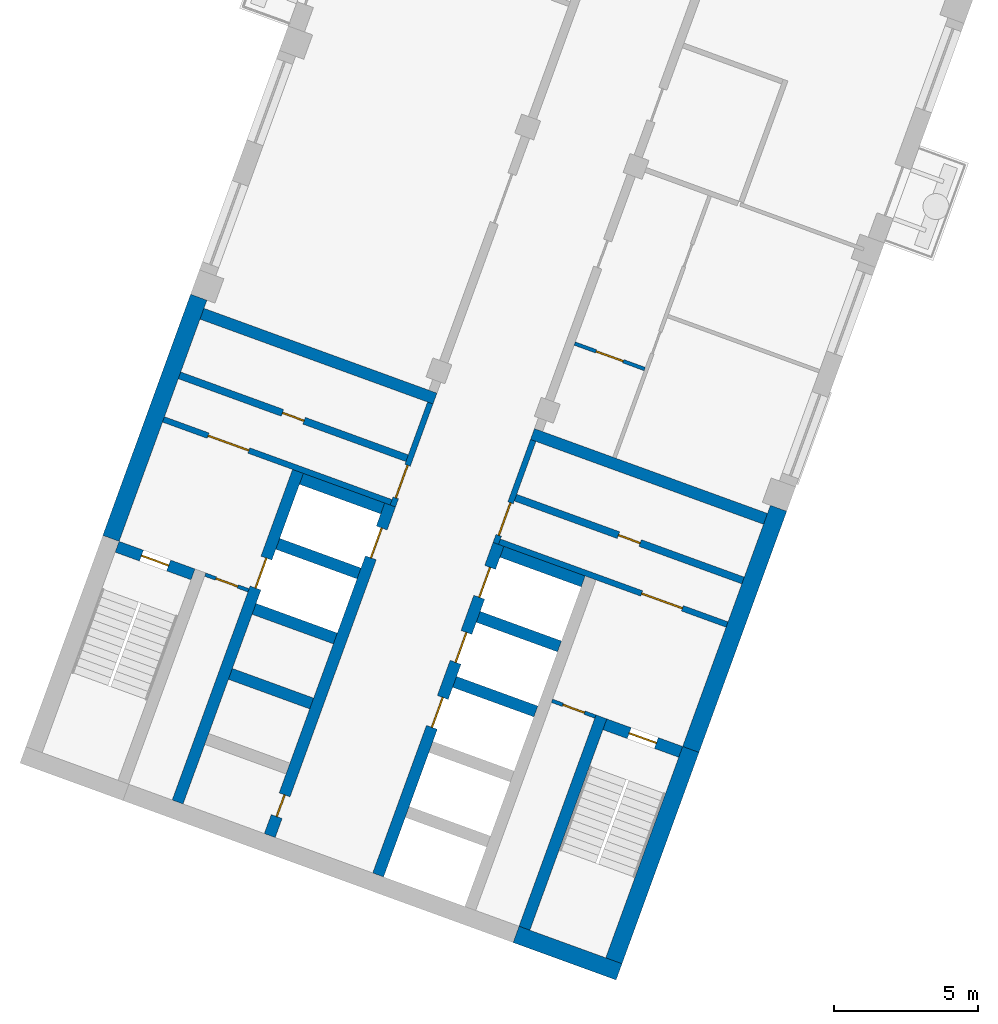
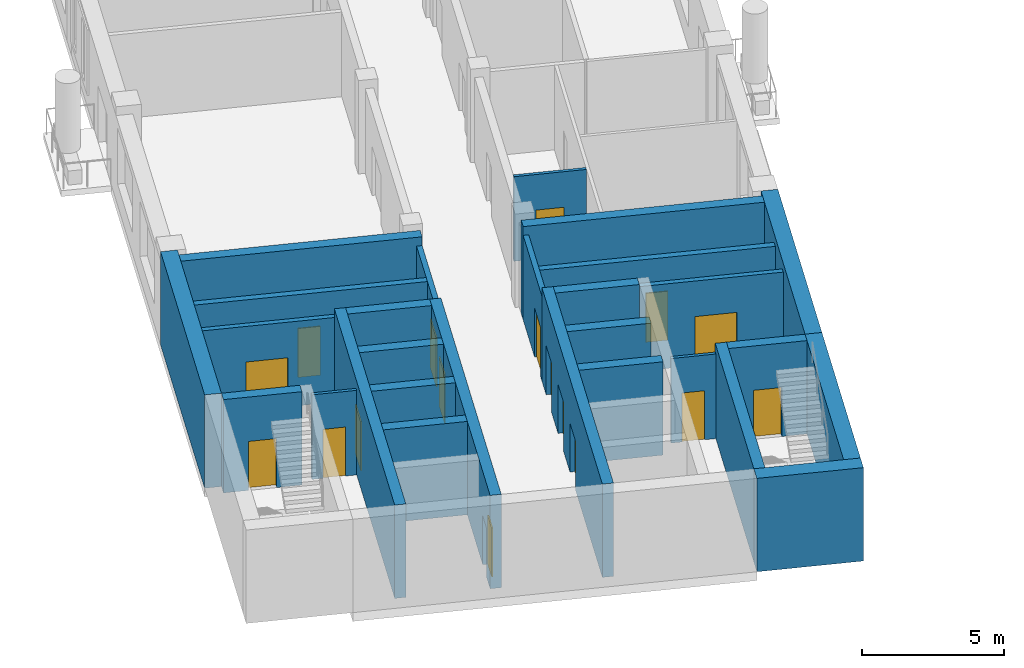
# One storey, part 2 of 16: 28 walls, 17 doors, 17 openings.
"""IFC4 building model written with IfcOpenShell, lengths in metres."""

from ifc_helpers import new_model, si_unit, direction, frame, frame_2d, origin, place, context, subcontext, project, spatial, rectangle, extrude, material, layer, layer_set, type_object, element, fill, save


model = new_model("IFC4")

# Units and contexts
model_context = context("Model", 3, precision=1e-05, world=origin(), true_north=direction((0.0, 1.0)))
body_context = subcontext(model_context, "Body", "Model", "MODEL_VIEW")
ifc_project = project(units=[si_unit("LENGTHUNIT", "METRE"), si_unit("AREAUNIT", "SQUARE_METRE"), si_unit("VOLUMEUNIT", "CUBIC_METRE"), si_unit("PLANEANGLEUNIT", "RADIAN"), si_unit("MASSUNIT", "GRAM", prefix="KILO")], contexts=[model_context])

# Site, building, storey
site_placement = place(None, origin())
site = spatial("IfcSite", under=ifc_project, at=site_placement, CompositionType="ELEMENT")
building_placement = place(site_placement, origin())
building = spatial("IfcBuilding", under=site, at=building_placement, Name="Skarvind Civic Tower", CompositionType="ELEMENT")
storey_placement = place(building_placement, frame((0.0, 0.0, 67.5)))
storey = spatial("IfcBuildingStorey", under=building, at=storey_placement, Name="L15", CompositionType="ELEMENT", Elevation=67.5)

# Wall, opening, door
ifc_material_1 = material(Name="Fire-rated masonry partition", Category="masonry")
ifc_layer_1 = layer(ifc_material_1, 0.199951171875)
ifc_layer_set_1 = layer_set([ifc_layer_1], Name="Core enclosure wall 200")
wall_type_1 = type_object("IfcWallType", Name="Core enclosure wall 200", PredefinedType="PARTITIONING", material=ifc_layer_set_1)
wall_1_placement = place(storey_placement, frame((31.491455078125, 93.693359375, 0.0), z_axis=(0.0, 0.0, 1.0), x_axis=(0.341995824804, 0.939701471648, 0.0)))
wall_1 = element("IfcWall", 1, at=wall_1_placement, inside=storey, type_object=wall_type_1, Name="Core wall C2", PredefinedType="PARTITIONING", context=body_context, shape_type="SweptSolid", body=[
    extrude(rectangle(XDim=3.800048828125, YDim=0.199951171875, at=frame_2d((1.89990234375, 0.0))), origin(), (0.0, 0.0, 1.0), 3.625),
])
opening_1_placement = place(wall_1_placement, frame((0.300048828125, 0.0, 0.0)))
opening_1 = element("IfcOpeningElement", 2, at=opening_1_placement, cuts=wall_1, Name="Opening D-L15-C2-06", PredefinedType="OPENING", context=body_context, shape_type="SweptSolid", body=[
    extrude(rectangle(XDim=1.199951171875, YDim=2.10009765625, at=frame_2d((0.60009765625, 1.050048828125))), frame((0.0, 0.10986328125, 0.0), z_axis=(0.0, -1.0, 0.0), x_axis=(1.0, 0.0, 0.0)), (0.0, 0.0, 1.0), 0.219970703125),
])
ifc_material_2 = material(Name="Fire-rated steel door", Category="steel")
door_type_1 = type_object("IfcDoorType", Name="Core lobby door 1200", OperationType="NOTDEFINED", PredefinedType="DOOR", material=ifc_material_2)
door_1_placement = place(opening_1_placement, origin())
door_1 = element("IfcDoor", 3, at=door_1_placement, inside=storey, type_object=door_type_1, Name="Fire door", OperationType="DOUBLE_DOOR_SINGLE_SWING", OverallHeight=2.10009765625, OverallWidth=1.199951171875, PredefinedType="DOOR", context=body_context, shape_type="SweptSolid", body=[
    extrude(rectangle(XDim=1.199951171875, YDim=2.10009765625, at=frame_2d((0.60009765625, 1.050048828125))), frame((0.0, 0.02490234375, 0.0), z_axis=(0.0, -1.0, 0.0), x_axis=(1.0, 0.0, 0.0)), (0.0, 0.0, 1.0), 0.050048828125),
])
fill(opening_1, door_1)

wall_2_placement = place(storey_placement, frame((23.5380859375, 96.6943359375, 0.0), z_axis=(0.0, 0.0, 1.0), x_axis=(0.939691552312, -0.342023078919, 0.0)))
wall_2 = element("IfcWall", 4, at=wall_2_placement, inside=storey, type_object=wall_type_1, Name="Core wall C2", PredefinedType="PARTITIONING", context=body_context, shape_type="SweptSolid", body=[
    extrude(rectangle(XDim=8.400146484375, YDim=0.199951171875, at=frame_2d((4.2001953125, 0.0))), origin(), (0.0, 0.0, 1.0), 3.625),
])
opening_2_placement = place(wall_2_placement, frame((1.64990234375, 0.0, 0.0)))
opening_2 = element("IfcOpeningElement", 5, at=opening_2_placement, cuts=wall_2, Name="Opening D-L15-C2-07", PredefinedType="OPENING", context=body_context, shape_type="SweptSolid", body=[
    extrude(rectangle(XDim=1.5, YDim=2.10009765625, at=frame_2d((0.75, 1.050048828125))), frame((0.0, 0.10986328125, 0.0), z_axis=(0.0, -1.0, 0.0), x_axis=(1.0, 0.0, 0.0)), (0.0, 0.0, 1.0), 0.219970703125),
])
door_type_2 = type_object("IfcDoorType", Name="Fire door 1500", OperationType="NOTDEFINED", PredefinedType="DOOR", material=ifc_material_2)
door_2_placement = place(opening_2_placement, origin())
door_2 = element("IfcDoor", 6, at=door_2_placement, inside=storey, type_object=door_type_2, Name="Fire door", OperationType="DOUBLE_DOOR_SINGLE_SWING", OverallHeight=2.10009765625, OverallWidth=1.5, PredefinedType="DOOR", context=body_context, shape_type="SweptSolid", body=[
    extrude(rectangle(XDim=1.5, YDim=2.10009765625, at=frame_2d((0.75, 1.050048828125))), frame((0.0, 0.02490234375, 0.0), z_axis=(0.0, -1.0, 0.0), x_axis=(1.0, 0.0, 0.0)), (0.0, 0.0, 1.0), 0.050048828125),
])
fill(opening_2, door_2)

wall_3_placement = place(storey_placement, frame((36.36181640625, 95.96435546875, 0.0), z_axis=(0.0, 0.0, 1.0), x_axis=(-0.341995824804, -0.939701471648, 0.0)))
wall_3 = element("IfcWall", 7, at=wall_3_placement, inside=storey, type_object=wall_type_1, Name="Core wall C2", PredefinedType="PARTITIONING", context=body_context, shape_type="SweptSolid", body=[
    extrude(rectangle(XDim=3.800048828125, YDim=0.199951171875, at=frame_2d((1.89990234375, 0.0))), origin(), (0.0, 0.0, 1.0), 3.625),
])
opening_3_placement = place(wall_3_placement, frame((2.300048828125, 0.0, 0.0)))
opening_3 = element("IfcOpeningElement", 8, at=opening_3_placement, cuts=wall_3, Name="Opening D-L15-C2-11", PredefinedType="OPENING", context=body_context, shape_type="SweptSolid", body=[
    extrude(rectangle(XDim=1.199951171875, YDim=2.10009765625, at=frame_2d((0.60009765625, 1.050048828125))), frame((0.0, 0.10986328125, 0.0), z_axis=(0.0, -1.0, 0.0), x_axis=(1.0, 0.0, 0.0)), (0.0, 0.0, 1.0), 0.219970703125),
])
door_3_placement = place(opening_3_placement, origin())
door_3 = element("IfcDoor", 9, at=door_3_placement, inside=storey, type_object=door_type_1, Name="Fire door", OperationType="DOUBLE_DOOR_SINGLE_SWING", OverallHeight=2.10009765625, OverallWidth=1.199951171875, PredefinedType="DOOR", context=body_context, shape_type="SweptSolid", body=[
    extrude(rectangle(XDim=1.199951171875, YDim=2.10009765625, at=frame_2d((0.60009765625, 1.050048828125))), frame((0.0, 0.02490234375, 0.0), z_axis=(0.0, -1.0, 0.0), x_axis=(1.0, 0.0, 0.0)), (0.0, 0.0, 1.0), 0.050048828125),
])
fill(opening_3, door_3)

wall_4_placement = place(storey_placement, frame((35.1904296875, 92.453369140625, 0.0), z_axis=(0.0, 0.0, 1.0), x_axis=(0.939691552312, -0.342023078919, 0.0)))
wall_4 = element("IfcWall", 10, at=wall_4_placement, inside=storey, type_object=wall_type_1, Name="Core wall C2", PredefinedType="PARTITIONING", context=body_context, shape_type="SweptSolid", body=[
    extrude(rectangle(XDim=8.400146484375, YDim=0.199951171875, at=frame_2d((4.2001953125, 0.0))), origin(), (0.0, 0.0, 1.0), 3.625),
])
opening_4_placement = place(wall_4_placement, frame((5.25, 0.0, 0.0)))
opening_4 = element("IfcOpeningElement", 11, at=opening_4_placement, cuts=wall_4, Name="Opening D-L15-C2-12", PredefinedType="OPENING", context=body_context, shape_type="SweptSolid", body=[
    extrude(rectangle(XDim=1.5, YDim=2.10009765625, at=frame_2d((0.75, 1.050048828125))), frame((0.0, 0.10986328125, 0.0), z_axis=(0.0, -1.0, 0.0), x_axis=(1.0, 0.0, 0.0)), (0.0, 0.0, 1.0), 0.219970703125),
])
door_4_placement = place(opening_4_placement, origin())
door_4 = element("IfcDoor", 12, at=door_4_placement, inside=storey, type_object=door_type_2, Name="Fire door", OperationType="DOUBLE_DOOR_SINGLE_SWING", OverallHeight=2.10009765625, OverallWidth=1.5, PredefinedType="DOOR", context=body_context, shape_type="SweptSolid", body=[
    extrude(rectangle(XDim=1.5, YDim=2.10009765625, at=frame_2d((0.75, 1.050048828125))), frame((0.0, 0.02490234375, 0.0), z_axis=(0.0, -1.0, 0.0), x_axis=(1.0, 0.0, 0.0)), (0.0, 0.0, 1.0), 0.050048828125),
])
fill(opening_4, door_4)

# Wall
ifc_material_3 = material(Name="Concrete C80", Category="concrete")
ifc_layer_2 = layer(ifc_material_3, 0.39990234375)
ifc_layer_set_2 = layer_set([ifc_layer_2], Name="Core wall 400 C80")
wall_type_2 = type_object("IfcWallType", Name="Core wall 400 C80", PredefinedType="SHEAR", material=ifc_layer_set_2)
wall_5_placement = place(storey_placement, frame((36.057861328125, 79.04833984375, 0.0), z_axis=(0.0, 0.0, 1.0), x_axis=(0.342016982193, 0.939693771338, 0.0)))
element("IfcWall", 13, at=wall_5_placement, inside=storey, type_object=wall_type_2, Name="Core wall C2 south stair inner L15", PredefinedType="SHEAR", context=body_context, shape_type="SweptSolid", body=[
    extrude(rectangle(XDim=7.800048828125, YDim=0.39990234375, at=frame_2d((3.89990234375, 0.0))), origin(), (0.0, 0.0, 1.0), 4.0),
])

# Wall, opening, door
wall_6_placement = place(storey_placement, frame((41.476318359375, 85.163818359375, 0.0), z_axis=(0.0, 0.0, 1.0), x_axis=(-0.939678810556, 0.342058084236, 0.0)))
wall_6 = element("IfcWall", 14, at=wall_6_placement, inside=storey, type_object=wall_type_2, Name="Core wall C2 south stair end L15", PredefinedType="SHEAR", context=body_context, shape_type="SweptSolid", body=[
    extrude(rectangle(XDim=2.800048828125, YDim=0.39990234375, at=frame_2d((1.39990234375, 0.0))), origin(), (0.0, 0.0, 1.0), 4.0),
])
opening_5_placement = place(wall_6_placement, frame((0.89990234375, 0.0, 0.0)))
opening_5 = element("IfcOpeningElement", 15, at=opening_5_placement, cuts=wall_6, Name="Opening D-L15-C2-13", PredefinedType="OPENING", context=body_context, shape_type="SweptSolid", body=[
    extrude(rectangle(XDim=1.0, YDim=2.10009765625, at=frame_2d((0.5, 1.050048828125))), frame((0.0, 0.2099609375, 0.0), z_axis=(0.0, -1.0, 0.0), x_axis=(1.0, 0.0, 0.0)), (0.0, 0.0, 1.0), 0.419921875),
])
door_type_3 = type_object("IfcDoorType", Name="Fire door 1000", OperationType="NOTDEFINED", PredefinedType="DOOR", material=ifc_material_2)
door_5_placement = place(opening_5_placement, origin())
door_5 = element("IfcDoor", 16, at=door_5_placement, inside=storey, type_object=door_type_3, Name="Fire door", OperationType="SINGLE_SWING_RIGHT", OverallHeight=2.10009765625, OverallWidth=1.0, PredefinedType="DOOR", context=body_context, shape_type="SweptSolid", body=[
    extrude(rectangle(XDim=1.0, YDim=2.10009765625, at=frame_2d((0.5, 1.050048828125))), frame((0.0, 0.02490234375, 0.0), z_axis=(0.0, -1.0, 0.0), x_axis=(1.0, 0.0, 0.0)), (0.0, 0.0, 1.0), 0.050048828125),
])
fill(opening_5, door_5)

wall_7_placement = place(storey_placement, frame((24.56201171875, 91.3203125, 0.0), z_axis=(0.0, 0.0, 1.0), x_axis=(-0.939717030584, 0.341953070509, 0.0)))
wall_7 = element("IfcWall", 17, at=wall_7_placement, inside=storey, type_object=wall_type_2, Name="Core wall C2 north stair end L15", PredefinedType="SHEAR", context=body_context, shape_type="SweptSolid", body=[
    extrude(rectangle(XDim=2.800048828125, YDim=0.39990234375, at=frame_2d((1.39990234375, 0.0))), origin(), (0.0, 0.0, 1.0), 4.0),
])
opening_6_placement = place(wall_7_placement, frame((0.89990234375, 0.0, 0.0)))
opening_6 = element("IfcOpeningElement", 18, at=opening_6_placement, cuts=wall_7, Name="Opening D-L15-C2-08", PredefinedType="OPENING", context=body_context, shape_type="SweptSolid", body=[
    extrude(rectangle(XDim=1.0, YDim=2.10009765625, at=frame_2d((0.5, 1.050048828125))), frame((0.0, 0.2099609375, 0.0), z_axis=(0.0, -1.0, 0.0), x_axis=(1.0, 0.0, 0.0)), (0.0, 0.0, 1.0), 0.419921875),
])
door_6_placement = place(opening_6_placement, origin())
door_6 = element("IfcDoor", 19, at=door_6_placement, inside=storey, type_object=door_type_3, Name="Fire door", OperationType="SINGLE_SWING_LEFT", OverallHeight=2.10009765625, OverallWidth=1.0, PredefinedType="DOOR", context=body_context, shape_type="SweptSolid", body=[
    extrude(rectangle(XDim=1.0, YDim=2.10009765625, at=frame_2d((0.5, 1.050048828125))), frame((0.0, 0.02490234375, 0.0), z_axis=(0.0, -1.0, 0.0), x_axis=(1.0, 0.0, 0.0)), (0.0, 0.0, 1.0), 0.050048828125),
])
fill(opening_6, door_6)

# Wall, openings, doors
wall_8_placement = place(storey_placement, frame((30.983642578125, 80.895263671875, 0.0), z_axis=(0.0, 0.0, 1.0), x_axis=(0.342021021735, 0.939692301071, 0.0)))
wall_8 = element("IfcWall", 20, at=wall_8_placement, inside=storey, type_object=wall_type_2, Name="Core wall C2 south lift row front L15", PredefinedType="SHEAR", context=body_context, shape_type="SweptSolid", body=[
    extrude(rectangle(XDim=12.199951171875, YDim=0.39990234375, at=frame_2d((6.10009765625, 0.0))), origin(), (0.0, 0.0, 1.0), 4.0),
])
opening_7_placement = place(wall_8_placement, frame((5.449951171875, 0.0, 0.0)))
opening_7 = element("IfcOpeningElement", 21, at=opening_7_placement, cuts=wall_8, Name="Opening LD17208", PredefinedType="OPENING", context=body_context, shape_type="SweptSolid", body=[
    extrude(rectangle(XDim=1.10009765625, YDim=2.10009765625, at=frame_2d((0.550048828125, 1.050048828125))), frame((0.0, 0.2099609375, 0.0), z_axis=(0.0, -1.0, 0.0), x_axis=(1.0, 0.0, 0.0)), (0.0, 0.0, 1.0), 0.419921875),
])
opening_8_placement = place(wall_8_placement, frame((7.85009765625, 0.0, 0.0)))
opening_8 = element("IfcOpeningElement", 22, at=opening_8_placement, cuts=wall_8, Name="Opening LD17209", PredefinedType="OPENING", context=body_context, shape_type="SweptSolid", body=[
    extrude(rectangle(XDim=1.10009765625, YDim=2.10009765625, at=frame_2d((0.550048828125, 1.050048828125))), frame((0.0, 0.2099609375, 0.0), z_axis=(0.0, -1.0, 0.0), x_axis=(1.0, 0.0, 0.0)), (0.0, 0.0, 1.0), 0.419921875),
])
opening_9_placement = place(wall_8_placement, frame((10.25, 0.0, 0.0)))
opening_9 = element("IfcOpeningElement", 23, at=opening_9_placement, cuts=wall_8, Name="Opening LD17210", PredefinedType="OPENING", context=body_context, shape_type="SweptSolid", body=[
    extrude(rectangle(XDim=1.10009765625, YDim=2.10009765625, at=frame_2d((0.550048828125, 1.050048828125))), frame((0.0, 0.2099609375, 0.0), z_axis=(0.0, -1.0, 0.0), x_axis=(1.0, 0.0, 0.0)), (0.0, 0.0, 1.0), 0.419921875),
])
ifc_material_4 = material(Name="Stainless steel landing door", Category="steel")
door_type_4 = type_object("IfcDoorType", Name="Lift landing door 1100", OperationType="DOUBLE_DOOR_SLIDING", PredefinedType="DOOR", material=ifc_material_4)
door_7_placement = place(opening_7_placement, origin())
door_7 = element("IfcDoor", 24, at=door_7_placement, inside=storey, type_object=door_type_4, Name="Lift landing door", OperationType="DOUBLE_DOOR_SLIDING", OverallHeight=2.10009765625, OverallWidth=1.10009765625, PredefinedType="DOOR", context=body_context, shape_type="SweptSolid", body=[
    extrude(rectangle(XDim=1.10009765625, YDim=2.10009765625, at=frame_2d((0.550048828125, 1.050048828125))), frame((0.0, 0.02490234375, 0.0), z_axis=(0.0, -1.0, 0.0), x_axis=(1.0, 0.0, 0.0)), (0.0, 0.0, 1.0), 0.050048828125),
])
fill(opening_7, door_7)
door_8_placement = place(opening_8_placement, origin())
door_8 = element("IfcDoor", 25, at=door_8_placement, inside=storey, type_object=door_type_4, Name="Lift landing door", OperationType="DOUBLE_DOOR_SLIDING", OverallHeight=2.10009765625, OverallWidth=1.10009765625, PredefinedType="DOOR", context=body_context, shape_type="SweptSolid", body=[
    extrude(rectangle(XDim=1.10009765625, YDim=2.10009765625, at=frame_2d((0.550048828125, 1.050048828125))), frame((0.0, 0.02490234375, 0.0), z_axis=(0.0, -1.0, 0.0), x_axis=(1.0, 0.0, 0.0)), (0.0, 0.0, 1.0), 0.050048828125),
])
fill(opening_8, door_8)
door_9_placement = place(opening_9_placement, origin())
door_9 = element("IfcDoor", 26, at=door_9_placement, inside=storey, type_object=door_type_4, Name="Lift landing door", OperationType="DOUBLE_DOOR_SLIDING", OverallHeight=2.10009765625, OverallWidth=1.10009765625, PredefinedType="DOOR", context=body_context, shape_type="SweptSolid", body=[
    extrude(rectangle(XDim=1.10009765625, YDim=2.10009765625, at=frame_2d((0.550048828125, 1.050048828125))), frame((0.0, 0.02490234375, 0.0), z_axis=(0.0, -1.0, 0.0), x_axis=(1.0, 0.0, 0.0)), (0.0, 0.0, 1.0), 0.050048828125),
])
fill(opening_9, door_9)

# Walls
for number, where, z_axis, x_axis, name in (
    (27, (36.453125, 86.56640625, 0.0), (0.0, 0.0, 1.0), (-0.939686455819, 0.342037080957, 0.0), "Core wall C2 south lift row division 3 L15"),
    (28, (37.27392578125, 88.82177734375, 0.0), (0.0, 0.0, 1.0), (-0.939686455819, 0.342037080957, 0.0), "Core wall C2 south lift row division 4 L15"),
):
    element("IfcWall", number, at=place(storey_placement, frame(where, z_axis=z_axis, x_axis=x_axis)), inside=storey, type_object=wall_type_2, Name=name, PredefinedType="SHEAR", context=body_context, shape_type="SweptSolid", body=[
        extrude(rectangle(XDim=3.0, YDim=0.39990234375, at=frame_2d((1.5, 0.0))), origin(), (0.0, 0.0, 1.0), 4.0),
    ])
wall_9_placement = place(storey_placement, frame((38.0947265625, 91.076904296875, 0.0), z_axis=(0.0, 0.0, 1.0), x_axis=(-0.939676934218, 0.342063238742, 0.0)))
element("IfcWall", 29, at=wall_9_placement, inside=storey, type_object=wall_type_2, Name="Core wall C2 south lift row division 5 L15", PredefinedType="SHEAR", context=body_context, shape_type="SweptSolid", body=[
    extrude(rectangle(XDim=2.999755859375, YDim=0.39990234375, at=frame_2d((1.5, 0.0))), origin(), (0.0, 0.0, 1.0), 4.0),
])

# Wall, openings, doors
wall_10_placement = place(storey_placement, frame((27.224853515625, 82.26318359375, 0.0), z_axis=(0.0, 0.0, 1.0), x_axis=(0.342014590177, 0.939694641948, 0.0)))
wall_10 = element("IfcWall", 30, at=wall_10_placement, inside=storey, type_object=wall_type_2, Name="Core wall C2 north lift row front L15", PredefinedType="SHEAR", context=body_context, shape_type="SweptSolid", body=[
    extrude(rectangle(XDim=12.2001953125, YDim=0.39990234375, at=frame_2d((6.10009765625, 0.0))), origin(), (0.0, 0.0, 1.0), 4.0),
])
opening_10_placement = place(wall_10_placement, frame((10.25, 0.0, 0.0)))
opening_10 = element("IfcOpeningElement", 31, at=opening_10_placement, cuts=wall_10, Name="Opening LD17205", PredefinedType="OPENING", context=body_context, shape_type="SweptSolid", body=[
    extrude(rectangle(XDim=1.10009765625, YDim=2.10009765625, at=frame_2d((0.550048828125, 1.050048828125))), frame((0.0, 0.2099609375, 0.0), z_axis=(0.0, -1.0, 0.0), x_axis=(1.0, 0.0, 0.0)), (0.0, 0.0, 1.0), 0.419921875),
])
opening_11_placement = place(wall_10_placement, frame((0.699951171875, 0.0, 0.0)))
opening_11 = element("IfcOpeningElement", 32, at=opening_11_placement, cuts=wall_10, Name="Opening D-L15-C2-05", PredefinedType="OPENING", context=body_context, shape_type="SweptSolid", body=[
    extrude(rectangle(XDim=0.800048828125, YDim=2.10009765625, at=frame_2d((0.39990234375, 1.050048828125))), frame((0.0, 0.2099609375, 0.0), z_axis=(0.0, -1.0, 0.0), x_axis=(1.0, 0.0, 0.0)), (0.0, 0.0, 1.0), 0.419921875),
])
door_type_5 = type_object("IfcDoorType", Name="Core riser door 800", OperationType="NOTDEFINED", PredefinedType="DOOR", material=ifc_material_2)
door_10_placement = place(opening_11_placement, origin())
door_10 = element("IfcDoor", 33, at=door_10_placement, inside=storey, type_object=door_type_5, Name="Riser door", OperationType="SINGLE_SWING_LEFT", OverallHeight=2.10009765625, OverallWidth=0.800048828125, PredefinedType="DOOR", context=body_context, shape_type="SweptSolid", body=[
    extrude(rectangle(XDim=0.800048828125, YDim=2.10009765625, at=frame_2d((0.39990234375, 1.050048828125))), frame((0.0, 0.02490234375, 0.0), z_axis=(0.0, -1.0, 0.0), x_axis=(1.0, 0.0, 0.0)), (0.0, 0.0, 1.0), 0.050048828125),
])
fill(opening_11, door_10)
door_11_placement = place(opening_10_placement, origin())
door_11 = element("IfcDoor", 34, at=door_11_placement, inside=storey, type_object=door_type_4, Name="Lift landing door", OperationType="DOUBLE_DOOR_SLIDING", OverallHeight=2.10009765625, OverallWidth=1.10009765625, PredefinedType="DOOR", context=body_context, shape_type="SweptSolid", body=[
    extrude(rectangle(XDim=1.10009765625, YDim=2.10009765625, at=frame_2d((0.550048828125, 1.050048828125))), frame((0.0, 0.02490234375, 0.0), z_axis=(0.0, -1.0, 0.0), x_axis=(1.0, 0.0, 0.0)), (0.0, 0.0, 1.0), 0.050048828125),
])
fill(opening_10, door_11)

# Wall, opening, door
wall_11_placement = place(storey_placement, frame((24.02978515625, 83.426025390625, 0.0), z_axis=(0.0, 0.0, 1.0), x_axis=(0.342014590177, 0.939694641948, 0.0)))
wall_11 = element("IfcWall", 35, at=wall_11_placement, inside=storey, type_object=wall_type_2, Name="Core wall C2 north lift row back L15", PredefinedType="SHEAR", context=body_context, shape_type="SweptSolid", body=[
    extrude(rectangle(XDim=12.2001953125, YDim=0.39990234375, at=frame_2d((6.10009765625, 0.0))), origin(), (0.0, 0.0, 1.0), 4.0),
])
opening_12_placement = place(wall_11_placement, frame((7.89990234375, 0.0, 0.0)))
opening_12 = element("IfcOpeningElement", 36, at=opening_12_placement, cuts=wall_11, Name="Opening LD17204", PredefinedType="OPENING", context=body_context, shape_type="SweptSolid", body=[
    extrude(rectangle(XDim=1.10009765625, YDim=2.10009765625, at=frame_2d((0.550048828125, 1.050048828125))), frame((0.0, 0.2099609375, 0.0), z_axis=(0.0, -1.0, 0.0), x_axis=(1.0, 0.0, 0.0)), (0.0, 0.0, 1.0), 0.419921875),
])
door_12_placement = place(opening_12_placement, origin())
door_12 = element("IfcDoor", 37, at=door_12_placement, inside=storey, type_object=door_type_4, Name="Lift landing door", OperationType="DOUBLE_DOOR_SLIDING", OverallHeight=2.10009765625, OverallWidth=1.10009765625, PredefinedType="DOOR", context=body_context, shape_type="SweptSolid", body=[
    extrude(rectangle(XDim=1.10009765625, YDim=2.10009765625, at=frame_2d((0.550048828125, 1.050048828125))), frame((0.0, 0.02490234375, 0.0), z_axis=(0.0, -1.0, 0.0), x_axis=(1.0, 0.0, 0.0)), (0.0, 0.0, 1.0), 0.050048828125),
])
fill(opening_12, door_12)

# Walls
wall_12_placement = place(storey_placement, frame((28.678466796875, 86.842041015625, 0.0), z_axis=(0.0, 0.0, 1.0), x_axis=(-0.939676934218, 0.342063238742, 0.0)))
element("IfcWall", 38, at=wall_12_placement, inside=storey, type_object=wall_type_2, Name="Core wall C2 north lift row division 2 L15", PredefinedType="SHEAR", context=body_context, shape_type="SweptSolid", body=[
    extrude(rectangle(XDim=2.999755859375, YDim=0.39990234375, at=frame_2d((1.5, 0.0))), origin(), (0.0, 0.0, 1.0), 4.0),
])
for number, where, z_axis, x_axis, name in (
    (39, (29.49951171875, 89.097412109375, 0.0), (0.0, 0.0, 1.0), (-0.939686455819, 0.342037080957, 0.0), "Core wall C2 north lift row division 3 L15"),
    (40, (30.3203125, 91.352783203125, 0.0), (0.0, 0.0, 1.0), (-0.939712609717, 0.341965219194, 0.0), "Core wall C2 north lift row division 4 L15"),
    (41, (31.14111328125, 93.60791015625, 0.0), (0.0, 0.0, 1.0), (-0.939686455819, 0.342037080957, 0.0), "Core wall C2 north lift row division 5 L15"),
):
    element("IfcWall", number, at=place(storey_placement, frame(where, z_axis=z_axis, x_axis=x_axis)), inside=storey, type_object=wall_type_2, Name=name, PredefinedType="SHEAR", context=body_context, shape_type="SweptSolid", body=[
        extrude(rectangle(XDim=3.0, YDim=0.39990234375, at=frame_2d((1.5, 0.0))), origin(), (0.0, 0.0, 1.0), 4.0),
    ])
for number, where, z_axis, x_axis, name in (
    (42, (44.417724609375, 93.2451171875, 0.0), (0.0, 0.0, 1.0), (-0.93969060187, 0.342025690201, 0.0), "Core wall C2 south inner face L15"),
    (43, (32.953369140625, 97.417724609375, 0.0), (0.0, 0.0, 1.0), (-0.93969060187, 0.342025690201, 0.0), "Core wall C2 north inner face L15"),
):
    element("IfcWall", number, at=place(storey_placement, frame(where, z_axis=z_axis, x_axis=x_axis)), inside=storey, type_object=wall_type_2, Name=name, PredefinedType="SHEAR", context=body_context, shape_type="SweptSolid", body=[
        extrude(rectangle(XDim=8.599853515625, YDim=0.39990234375, at=frame_2d((4.2998046875, 0.0))), origin(), (0.0, 0.0, 1.0), 4.0),
    ])
ifc_layer_3 = layer(ifc_material_3, 0.60009765625)
ifc_layer_set_3 = layer_set([ifc_layer_3], Name="Core wall 600 C80")
wall_type_3 = type_object("IfcWallType", Name="Core wall 600 C80", PredefinedType="SHEAR", material=ifc_layer_set_3)
wall_13_placement = place(storey_placement, frame((39.338134765625, 77.53515625, 0.0), z_axis=(0.0, 0.0, 1.0), x_axis=(-0.939701471648, 0.341995824804, 0.0)))
element("IfcWall", 44, at=wall_13_placement, inside=storey, type_object=wall_type_3, Name="Core wall C2 tip at the south stair L15", PredefinedType="SHEAR", context=body_context, shape_type="SweptSolid", body=[
    extrude(rectangle(XDim=3.800048828125, YDim=0.60009765625, at=frame_2d((1.89990234375, 0.0))), origin(), (0.0, 0.0, 1.0), 4.0),
])
wall_14_placement = place(storey_placement, frame((39.158935546875, 77.919677734375, 0.0), z_axis=(0.0, 0.0, 1.0), x_axis=(0.342016982193, 0.939693771338, 0.0)))
element("IfcWall", 45, at=wall_14_placement, inside=storey, type_object=wall_type_3, Name="Core wall C2 south side at the stair L15", PredefinedType="SHEAR", context=body_context, shape_type="SweptSolid", body=[
    extrude(rectangle(XDim=7.800048828125, YDim=0.60009765625, at=frame_2d((3.89990234375, 0.0))), origin(), (0.0, 0.0, 1.0), 4.0),
])
for number, where, z_axis, x_axis, name in (
    (46, (41.82666015625, 85.249267578125, 0.0), (0.0, 0.0, 1.0), (0.342016162452, 0.939694069696, 0.0), "Core wall C2 south side L15"),
    (47, (21.71728515625, 92.568359375, 0.0), (0.0, 0.0, 1.0), (0.342016162452, 0.939694069696, 0.0), "Core wall C2 north side L15"),
):
    element("IfcWall", number, at=place(storey_placement, frame(where, z_axis=z_axis, x_axis=x_axis)), inside=storey, type_object=wall_type_3, Name=name, PredefinedType="SHEAR", context=body_context, shape_type="SweptSolid", body=[
        extrude(rectangle(XDim=8.89990234375, YDim=0.60009765625, at=frame_2d((4.449951171875, 0.0))), origin(), (0.0, 0.0, 1.0), 4.0),
    ])

# Wall, opening, door
ifc_layer_4 = layer(ifc_material_1, 0.125)
ifc_layer_set_4 = layer_set([ifc_layer_4], Name="Riser wall 125")
wall_type_4 = type_object("IfcWallType", Name="Riser wall 125", PredefinedType="PARTITIONING", material=ifc_layer_set_4)
wall_15_placement = place(storey_placement, frame((24.98486328125, 91.3125, 0.0), z_axis=(0.0, 0.0, 1.0), x_axis=(0.939708740826, -0.341975850632, 0.0)))
wall_15 = element("IfcWall", 48, at=wall_15_placement, inside=storey, type_object=wall_type_4, Name="Core wall C2", PredefinedType="PARTITIONING", context=body_context, shape_type="SweptSolid", body=[
    extrude(rectangle(XDim=1.599853515625, YDim=0.125, at=frame_2d((0.7998046875, 0.0))), origin(), (0.0, 0.0, 1.0), 3.625),
])
opening_13_placement = place(wall_15_placement, frame((0.39990234375, 0.0, 0.0)))
opening_13 = element("IfcOpeningElement", 49, at=opening_13_placement, cuts=wall_15, Name="Opening D-L15-C2-09", PredefinedType="OPENING", context=body_context, shape_type="SweptSolid", body=[
    extrude(rectangle(XDim=0.800048828125, YDim=2.10009765625, at=frame_2d((0.39990234375, 1.050048828125))), frame((0.0, 0.072509765625, 0.0), z_axis=(0.0, -1.0, 0.0), x_axis=(1.0, 0.0, 0.0)), (0.0, 0.0, 1.0), 0.14501953125),
])
door_13_placement = place(opening_13_placement, origin())
door_13 = element("IfcDoor", 50, at=door_13_placement, inside=storey, type_object=door_type_5, Name="Riser door", OperationType="SINGLE_SWING_RIGHT", OverallHeight=2.10009765625, OverallWidth=0.800048828125, PredefinedType="DOOR", context=body_context, shape_type="SweptSolid", body=[
    extrude(rectangle(XDim=0.800048828125, YDim=2.10009765625, at=frame_2d((0.39990234375, 1.050048828125))), frame((0.0, 0.02490234375, 0.0), z_axis=(0.0, -1.0, 0.0), x_axis=(1.0, 0.0, 0.0)), (0.0, 0.0, 1.0), 0.050048828125),
])
fill(opening_13, door_13)

wall_16_placement = place(storey_placement, frame((37.012939453125, 86.934814453125, 0.0), z_axis=(0.0, 0.0, 1.0), x_axis=(0.939659694648, -0.342110593602, 0.0)))
wall_16 = element("IfcWall", 51, at=wall_16_placement, inside=storey, type_object=wall_type_4, Name="Core wall C2", PredefinedType="PARTITIONING", context=body_context, shape_type="SweptSolid", body=[
    extrude(rectangle(XDim=1.599853515625, YDim=0.125, at=frame_2d((0.7998046875, 0.0))), origin(), (0.0, 0.0, 1.0), 3.625),
])
opening_14_placement = place(wall_16_placement, frame((0.39990234375, 0.0, 0.0)))
opening_14 = element("IfcOpeningElement", 52, at=opening_14_placement, cuts=wall_16, Name="Opening D-L15-C2-14", PredefinedType="OPENING", context=body_context, shape_type="SweptSolid", body=[
    extrude(rectangle(XDim=0.800048828125, YDim=2.10009765625, at=frame_2d((0.39990234375, 1.050048828125))), frame((0.0, 0.072509765625, 0.0), z_axis=(0.0, -1.0, 0.0), x_axis=(1.0, 0.0, 0.0)), (0.0, 0.0, 1.0), 0.14501953125),
])
door_14_placement = place(opening_14_placement, origin())
door_14 = element("IfcDoor", 53, at=door_14_placement, inside=storey, type_object=door_type_5, Name="Riser door", OperationType="SINGLE_SWING_LEFT", OverallHeight=2.10009765625, OverallWidth=0.800048828125, PredefinedType="DOOR", context=body_context, shape_type="SweptSolid", body=[
    extrude(rectangle(XDim=0.800048828125, YDim=2.10009765625, at=frame_2d((0.39990234375, 1.050048828125))), frame((0.0, 0.02490234375, 0.0), z_axis=(0.0, -1.0, 0.0), x_axis=(1.0, 0.0, 0.0)), (0.0, 0.0, 1.0), 0.050048828125),
])
fill(opening_14, door_14)

ifc_layer_5 = layer(ifc_material_1, 0.25)
ifc_layer_set_5 = layer_set([ifc_layer_5], Name="Service block wall 250")
wall_type_5 = type_object("IfcWallType", Name="Service block wall 250", PredefinedType="PARTITIONING", material=ifc_layer_set_5)
wall_17_placement = place(storey_placement, frame((24.093994140625, 98.221435546875, 0.0), z_axis=(0.0, 0.0, 1.0), x_axis=(0.939691552312, -0.342023078919, 0.0)))
wall_17 = element("IfcWall", 54, at=wall_17_placement, inside=storey, type_object=wall_type_5, Name="Core wall C2", PredefinedType="PARTITIONING", context=body_context, shape_type="SweptSolid", body=[
    extrude(rectangle(XDim=8.400146484375, YDim=0.25, at=frame_2d((4.2001953125, 0.0))), origin(), (0.0, 0.0, 1.0), 3.625),
])
opening_15_placement = place(wall_17_placement, frame((3.800048828125, 0.0, 0.0)))
opening_15 = element("IfcOpeningElement", 55, at=opening_15_placement, cuts=wall_17, Name="Opening D-L15-C2-10", PredefinedType="OPENING", context=body_context, shape_type="SweptSolid", body=[
    extrude(rectangle(XDim=0.800048828125, YDim=2.10009765625, at=frame_2d((0.39990234375, 1.050048828125))), frame((0.0, 0.135009765625, 0.0), z_axis=(0.0, -1.0, 0.0), x_axis=(1.0, 0.0, 0.0)), (0.0, 0.0, 1.0), 0.27001953125),
])
door_15_placement = place(opening_15_placement, origin())
door_15 = element("IfcDoor", 56, at=door_15_placement, inside=storey, type_object=door_type_5, Name="Riser door", OperationType="SINGLE_SWING_LEFT", OverallHeight=2.10009765625, OverallWidth=0.800048828125, PredefinedType="DOOR", context=body_context, shape_type="SweptSolid", body=[
    extrude(rectangle(XDim=0.800048828125, YDim=2.10009765625, at=frame_2d((0.39990234375, 1.050048828125))), frame((0.0, 0.02490234375, 0.0), z_axis=(0.0, -1.0, 0.0), x_axis=(1.0, 0.0, 0.0)), (0.0, 0.0, 1.0), 0.050048828125),
])
fill(opening_15, door_15)

wall_18_placement = place(storey_placement, frame((35.74609375, 93.98046875, 0.0), z_axis=(0.0, 0.0, 1.0), x_axis=(0.939691552312, -0.342023078919, 0.0)))
wall_18 = element("IfcWall", 57, at=wall_18_placement, inside=storey, type_object=wall_type_5, Name="Core wall C2", PredefinedType="PARTITIONING", context=body_context, shape_type="SweptSolid", body=[
    extrude(rectangle(XDim=8.400146484375, YDim=0.25, at=frame_2d((4.2001953125, 0.0))), origin(), (0.0, 0.0, 1.0), 3.625),
])
opening_16_placement = place(wall_18_placement, frame((3.800048828125, 0.0, 0.0)))
opening_16 = element("IfcOpeningElement", 58, at=opening_16_placement, cuts=wall_18, Name="Opening D-L15-C2-15", PredefinedType="OPENING", context=body_context, shape_type="SweptSolid", body=[
    extrude(rectangle(XDim=0.800048828125, YDim=2.10009765625, at=frame_2d((0.39990234375, 1.050048828125))), frame((0.0, 0.135009765625, 0.0), z_axis=(0.0, -1.0, 0.0), x_axis=(1.0, 0.0, 0.0)), (0.0, 0.0, 1.0), 0.27001953125),
])
door_16_placement = place(opening_16_placement, origin())
door_16 = element("IfcDoor", 59, at=door_16_placement, inside=storey, type_object=door_type_5, Name="Riser door", OperationType="SINGLE_SWING_RIGHT", OverallHeight=2.10009765625, OverallWidth=0.800048828125, PredefinedType="DOOR", context=body_context, shape_type="SweptSolid", body=[
    extrude(rectangle(XDim=0.800048828125, YDim=2.10009765625, at=frame_2d((0.39990234375, 1.050048828125))), frame((0.0, 0.02490234375, 0.0), z_axis=(0.0, -1.0, 0.0), x_axis=(1.0, 0.0, 0.0)), (0.0, 0.0, 1.0), 0.050048828125),
])
fill(opening_16, door_16)

ifc_material_5 = material(Name="Moisture-resistant gypsum board on steel studs", Category="steel")
ifc_layer_6 = layer(ifc_material_5, 0.125)
ifc_layer_set_6 = layer_set([ifc_layer_6], Name="WC PARTITION 125")
wall_type_6 = type_object("IfcWallType", Name="WC PARTITION 125", PredefinedType="PARTITIONING", material=ifc_layer_set_6)
wall_19_placement = place(storey_placement, frame((40.22900390625, 98.44091796875, 0.0), z_axis=(0.0, 0.0, 1.0), x_axis=(-0.939663852573, 0.342099173001, 0.0)))
wall_19 = element("IfcWall", 60, at=wall_19_placement, inside=storey, type_object=wall_type_6, Name="Partition 15.005", PredefinedType="PARTITIONING", context=body_context, shape_type="SweptSolid", body=[
    extrude(rectangle(XDim=2.5869140625, YDim=0.125, at=frame_2d((1.29345703125, 0.0))), origin(), (0.0, 0.0, 1.0), 3.625),
])
opening_17_placement = place(wall_19_placement, frame((0.793701171875, 0.0, 0.0)))
opening_17 = element("IfcOpeningElement", 61, at=opening_17_placement, cuts=wall_19, Name="Opening L15-D022", PredefinedType="OPENING", context=body_context, shape_type="SweptSolid", body=[
    extrude(rectangle(XDim=1.0, YDim=2.10009765625, at=frame_2d((0.5, 1.050048828125))), frame((0.0, 0.072509765625, 0.0), z_axis=(0.0, -1.0, 0.0), x_axis=(1.0, 0.0, 0.0)), (0.0, 0.0, 1.0), 0.14501953125),
])
ifc_material_6 = material(Name="Timber door leaf", Category="wood")
door_type_6 = type_object("IfcDoorType", Name="D1 1000x2100", OperationType="NOTDEFINED", PredefinedType="DOOR", material=ifc_material_6)
door_17_placement = place(opening_17_placement, origin())
door_17 = element("IfcDoor", 62, at=door_17_placement, inside=storey, type_object=door_type_6, Name="Door L15-D022", OperationType="SINGLE_SWING_RIGHT", OverallHeight=2.10009765625, OverallWidth=1.0, PredefinedType="DOOR", context=body_context, shape_type="SweptSolid", body=[
    extrude(rectangle(XDim=1.0, YDim=2.10009765625, at=frame_2d((0.5, 1.050048828125))), frame((0.0, 0.02490234375, 0.0), z_axis=(0.0, -1.0, 0.0), x_axis=(1.0, 0.0, 0.0)), (0.0, 0.0, 1.0), 0.050048828125),
])
fill(opening_17, door_17)

save(model, "model.ifc")
